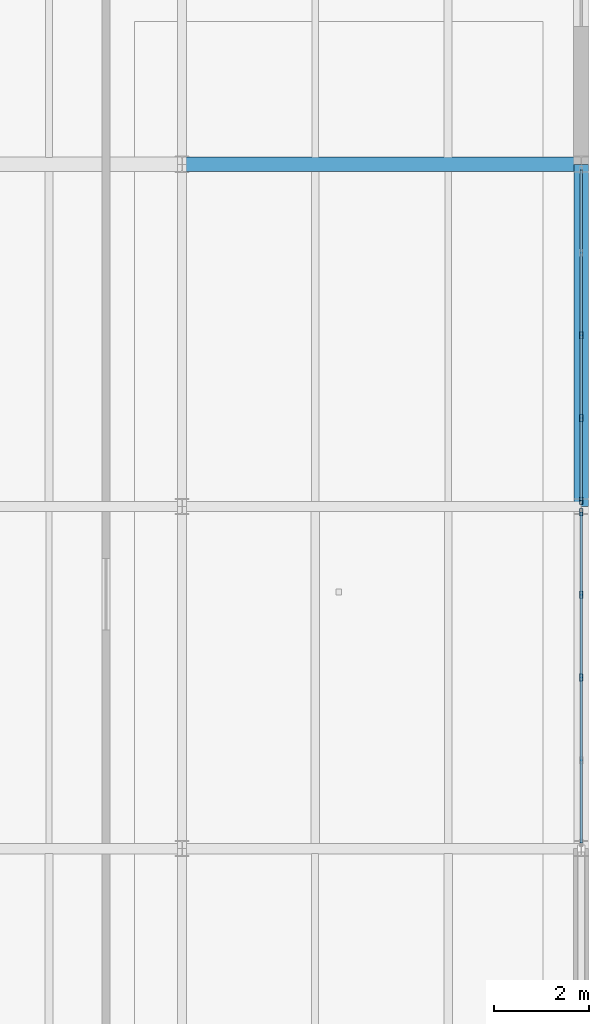
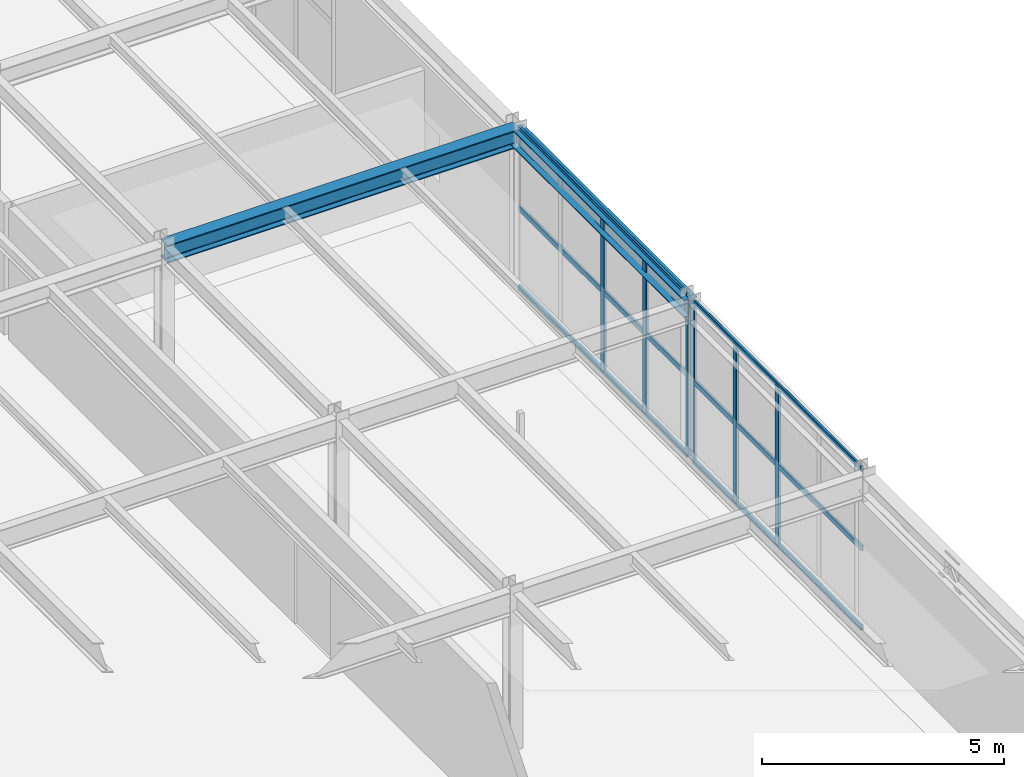
# One storey, part 39 of 73: 12 members, 2 beams, 2 elements without a shape of their own.
"""IFC4 building model written with IfcOpenShell, lengths in metres."""

from ifc_helpers import new_model, si_unit, derived_unit, direction, frame, origin, origin_2d, place, context, subcontext, project, spatial, hollow_rectangle, i_section, extrude, material, material_profile, profile_set, type_object, element, aggregate, save


model = new_model("IFC4")

# Units and contexts
model_context = context("Model", 3, precision=1e-05, world=origin(), true_north=direction((0.0, 1.0)))
body_context = subcontext(model_context, "Body", "Model", "MODEL_VIEW")
ifc_project = project(units=[si_unit("LENGTHUNIT", "METRE"), si_unit("AREAUNIT", "SQUARE_METRE"), si_unit("VOLUMEUNIT", "CUBIC_METRE"), si_unit("PLANEANGLEUNIT", "RADIAN"), si_unit("MASSUNIT", "GRAM", prefix="KILO"), derived_unit("THERMALTRANSMITTANCEUNIT", [(si_unit("MASSUNIT", "GRAM", prefix="KILO"), 1), (si_unit("TIMEUNIT", "SECOND"), -3), (si_unit("THERMODYNAMICTEMPERATUREUNIT", "KELVIN"), -1)])], contexts=[model_context])

# Site, building, storey
site_placement = place(None, origin())
site = spatial("IfcSite", under=ifc_project, at=site_placement, CompositionType="ELEMENT")
building_placement = place(site_placement, origin())
building = spatial("IfcBuilding", under=site, at=building_placement, Name="Kharveza Railside Sports Centre", CompositionType="ELEMENT")
storey_placement = place(building_placement, frame((0.0, 0.0, 8.699951171875)))
storey = spatial("IfcBuildingStorey", under=building, at=storey_placement, Name="L02", CompositionType="ELEMENT", Elevation=8.699951171875)

# Beams
ifc_material_1 = material(Name="Steel S355J2", Category="steel")
ifc_material_profile_1 = material_profile(ifc_material_1, i_section(OverallWidth=0.300048828125, OverallDepth=0.449951171875, WebThickness=0.013916015625, FlangeThickness=0.02587890625, FilletRadius=0.027099609375, at=origin_2d()), Name="HEB 450")
ifc_profile_set_1 = profile_set([ifc_material_profile_1], Name="Steel S355J2")
beam_type_1 = type_object("IfcBeamType", Name="BM-G06", PredefinedType="T_BEAM", material=ifc_profile_set_1)
beam_1_placement = place(storey_placement, frame((159.60009765625, 43.199951171875, 3.775146484375), z_axis=(1.0, 0.0, 0.0), x_axis=(0.0, 1.0, 0.0)))
element("IfcBeam", 1, at=beam_1_placement, inside=storey, type_object=beam_type_1, Name="BM-EW-L02-B06-X1596-Y432", PredefinedType="T_BEAM", context=body_context, shape_type="SweptSolid", body=[
    extrude(i_section(OverallWidth=0.300048828125, OverallDepth=0.449951171875, WebThickness=0.013916015625, FlangeThickness=0.02587890625, FilletRadius=0.027099609375, at=origin_2d()), origin(), (0.0, 0.0, 1.0), 8.39990234375),
])
ifc_material_profile_2 = material_profile(ifc_material_1, i_section(OverallWidth=0.300048828125, OverallDepth=0.43994140625, WebThickness=0.011474609375, FlangeThickness=0.02099609375, FilletRadius=0.027099609375, at=origin_2d()), Name="HEA 450")
ifc_profile_set_2 = profile_set([ifc_material_profile_2], Name="Steel S355J2")
beam_type_2 = type_object("IfcBeamType", Name="BM-SP01", PredefinedType="SPANDREL", material=ifc_profile_set_2)
beam_2_placement = place(storey_placement, frame((168.0, 36.0, 3.780029296875), z_axis=(0.0, 1.0, 0.0), x_axis=(-1.0, 0.0, 0.0)))
element("IfcBeam", 2, at=beam_2_placement, inside=storey, type_object=beam_type_2, Name="BM-NS-L02-B15-X1680-Y360", PredefinedType="SPANDREL", context=body_context, shape_type="SweptSolid", body=[
    extrude(i_section(OverallWidth=0.300048828125, OverallDepth=0.43994140625, WebThickness=0.011474609375, FlangeThickness=0.02099609375, FilletRadius=0.027099609375, at=origin_2d()), origin(), (0.0, 0.0, 1.0), 7.199951171875),
])

# Curtain wall, members
ifc_material_2 = material(Name="Low-E solar-control laminated glass", Category="glass")
curtain_wall_type = type_object("IfcCurtainWallType", Name="CW-WG02", PredefinedType="NOTDEFINED", material=ifc_material_2)
curtain_wall_1_placement = place(storey_placement, origin())
curtain_wall_1 = element("IfcCurtainWall", 3, at=curtain_wall_1_placement, inside=storey, type_object=curtain_wall_type, Name="CW-WG-L02-CW-WG02-X1680-Y324", PredefinedType="NOTDEFINED")
ifc_material_3 = material(Name="Anodised aluminium 6063-T6", Category="aluminium")
ifc_material_profile_3 = material_profile(ifc_material_3, hollow_rectangle(XDim=0.06494140625, YDim=0.14990234375, WallThickness=0.0048828125, InnerFilletRadius=0.0048828125, OuterFilletRadius=0.010009765625, at=origin_2d()), Name="RHS 65x150x5.0")
ifc_profile_set_3 = profile_set([ifc_material_profile_3], Name="Anodised aluminium 6063-T6")
member_type_1 = type_object("IfcMemberType", Name="CW-ML04", PredefinedType="MULLION", material=ifc_profile_set_3)
member_1_placement = place(storey_placement, frame((168.0, 32.39990234375, 0.0), z_axis=(0.0, 0.0, 1.0), x_axis=(1.0, 0.0, 0.0)))
member_1 = element("IfcMember", 4, at=member_1_placement, type_object=member_type_1, Name="CW-WG-L02-CW-WG02-X1680-Y324-ML3", PredefinedType="MULLION", context=body_context, shape_type="SweptSolid", body=[
    extrude(hollow_rectangle(XDim=0.06494140625, YDim=0.14990234375, WallThickness=0.0048828125, InnerFilletRadius=0.0048828125, OuterFilletRadius=0.010009765625, at=origin_2d()), origin(), (0.0, 0.0, 1.0), 4.0),
])
member_2_placement = place(storey_placement, frame((168.0, 34.139892578125, 0.0), z_axis=(0.0, 0.0, 1.0), x_axis=(1.0, 0.0, 0.0)))
member_2 = element("IfcMember", 5, at=member_2_placement, type_object=member_type_1, Name="CW-WG-L02-CW-WG02-X1680-Y324-ML4", PredefinedType="MULLION", context=body_context, shape_type="SweptSolid", body=[
    extrude(hollow_rectangle(XDim=0.06494140625, YDim=0.14990234375, WallThickness=0.0048828125, InnerFilletRadius=0.0048828125, OuterFilletRadius=0.010009765625, at=origin_2d()), origin(), (0.0, 0.0, 1.0), 4.0),
])
member_3_placement = place(storey_placement, frame((168.0, 35.8798828125, 0.0), z_axis=(0.0, 0.0, 1.0), x_axis=(1.0, 0.0, 0.0)))
member_3 = element("IfcMember", 6, at=member_3_placement, type_object=member_type_1, Name="CW-WG-L02-CW-WG02-X1680-Y324-ML5", PredefinedType="MULLION", context=body_context, shape_type="SweptSolid", body=[
    extrude(hollow_rectangle(XDim=0.06494140625, YDim=0.14990234375, WallThickness=0.0048828125, InnerFilletRadius=0.0048828125, OuterFilletRadius=0.010009765625, at=origin_2d()), origin(), (0.0, 0.0, 1.0), 4.0),
])

curtain_wall_2_placement = place(storey_placement, origin())
curtain_wall_2 = element("IfcCurtainWall", 7, at=curtain_wall_2_placement, inside=storey, type_object=curtain_wall_type, Name="CW-WG-L02-CW-WG02-X1680-Y396", PredefinedType="NOTDEFINED")
member_4_placement = place(storey_placement, frame((168.0, 36.1201171875, 0.0), z_axis=(0.0, 0.0, 1.0), x_axis=(1.0, 0.0, 0.0)))
member_4 = element("IfcMember", 8, at=member_4_placement, type_object=member_type_1, Name="CW-WG-L02-CW-WG02-X1680-Y396-ML1", PredefinedType="MULLION", context=body_context, shape_type="SweptSolid", body=[
    extrude(hollow_rectangle(XDim=0.06494140625, YDim=0.14990234375, WallThickness=0.0048828125, InnerFilletRadius=0.0048828125, OuterFilletRadius=0.010009765625, at=origin_2d()), origin(), (0.0, 0.0, 1.0), 4.0),
])
member_5_placement = place(storey_placement, frame((168.0, 37.860107421875, 0.0), z_axis=(0.0, 0.0, 1.0), x_axis=(1.0, 0.0, 0.0)))
member_5 = element("IfcMember", 9, at=member_5_placement, type_object=member_type_1, Name="CW-WG-L02-CW-WG02-X1680-Y396-ML2", PredefinedType="MULLION", context=body_context, shape_type="SweptSolid", body=[
    extrude(hollow_rectangle(XDim=0.06494140625, YDim=0.14990234375, WallThickness=0.0048828125, InnerFilletRadius=0.0048828125, OuterFilletRadius=0.010009765625, at=origin_2d()), origin(), (0.0, 0.0, 1.0), 4.0),
])
member_6_placement = place(storey_placement, frame((168.0, 39.60009765625, 0.0), z_axis=(0.0, 0.0, 1.0), x_axis=(1.0, 0.0, 0.0)))
member_6 = element("IfcMember", 10, at=member_6_placement, type_object=member_type_1, Name="CW-WG-L02-CW-WG02-X1680-Y396-ML3", PredefinedType="MULLION", context=body_context, shape_type="SweptSolid", body=[
    extrude(hollow_rectangle(XDim=0.06494140625, YDim=0.14990234375, WallThickness=0.0048828125, InnerFilletRadius=0.0048828125, OuterFilletRadius=0.010009765625, at=origin_2d()), origin(), (0.0, 0.0, 1.0), 4.0),
])

# Member
ifc_material_profile_4 = material_profile(ifc_material_3, hollow_rectangle(XDim=0.06005859375, YDim=0.139892578125, WallThickness=0.0048828125, InnerFilletRadius=0.0048828125, OuterFilletRadius=0.010009765625, at=origin_2d()), Name="RHS 60x140x5.0")
ifc_profile_set_4 = profile_set([ifc_material_profile_4], Name="Anodised aluminium 6063-T6")
member_type_2 = type_object("IfcMemberType", Name="CW-TR04", PredefinedType="USERDEFINED", material=ifc_profile_set_4)
member_7_placement = place(storey_placement, frame((168.0, 28.919921875, 0.0), z_axis=(0.0, 1.0, 0.0), x_axis=(-1.0, 0.0, 0.0)))
member_7 = element("IfcMember", 11, at=member_7_placement, type_object=member_type_2, Name="CW-WG-L02-CW-WG02-X1680-Y324-TR1", ObjectType="TRANSOM", PredefinedType="USERDEFINED", context=body_context, shape_type="SweptSolid", body=[
    extrude(hollow_rectangle(XDim=0.06005859375, YDim=0.139892578125, WallThickness=0.0048828125, InnerFilletRadius=0.0048828125, OuterFilletRadius=0.010009765625, at=origin_2d()), origin(), (0.0, 0.0, 1.0), 6.9599609375),
])

member_8_placement = place(storey_placement, frame((168.0, 28.919921875, 2.0), z_axis=(0.0, 1.0, 0.0), x_axis=(-1.0, 0.0, 0.0)))
member_8 = element("IfcMember", 12, at=member_8_placement, type_object=member_type_2, Name="CW-WG-L02-CW-WG02-X1680-Y324-TR2", ObjectType="TRANSOM", PredefinedType="USERDEFINED", context=body_context, shape_type="SweptSolid", body=[
    extrude(hollow_rectangle(XDim=0.06005859375, YDim=0.139892578125, WallThickness=0.0048828125, InnerFilletRadius=0.0048828125, OuterFilletRadius=0.010009765625, at=origin_2d()), origin(), (0.0, 0.0, 1.0), 6.9599609375),
])

member_9_placement = place(storey_placement, frame((168.0, 28.919921875, 4.0), z_axis=(0.0, 1.0, 0.0), x_axis=(-1.0, 0.0, 0.0)))
member_9 = element("IfcMember", 13, at=member_9_placement, type_object=member_type_2, Name="CW-WG-L02-CW-WG02-X1680-Y324-TR3", ObjectType="TRANSOM", PredefinedType="USERDEFINED", context=body_context, shape_type="SweptSolid", body=[
    extrude(hollow_rectangle(XDim=0.06005859375, YDim=0.139892578125, WallThickness=0.0048828125, InnerFilletRadius=0.0048828125, OuterFilletRadius=0.010009765625, at=origin_2d()), origin(), (0.0, 0.0, 1.0), 6.9599609375),
])

aggregate(curtain_wall_1, [member_1, member_2, member_3, member_7, member_8, member_9])

member_10_placement = place(storey_placement, frame((168.0, 36.1201171875, 0.0), z_axis=(0.0, 1.0, 0.0), x_axis=(-1.0, 0.0, 0.0)))
member_10 = element("IfcMember", 14, at=member_10_placement, type_object=member_type_2, Name="CW-WG-L02-CW-WG02-X1680-Y396-TR1", ObjectType="TRANSOM", PredefinedType="USERDEFINED", context=body_context, shape_type="SweptSolid", body=[
    extrude(hollow_rectangle(XDim=0.06005859375, YDim=0.139892578125, WallThickness=0.0048828125, InnerFilletRadius=0.0048828125, OuterFilletRadius=0.010009765625, at=origin_2d()), origin(), (0.0, 0.0, 1.0), 6.9599609375),
])

member_11_placement = place(storey_placement, frame((168.0, 36.1201171875, 2.0), z_axis=(0.0, 1.0, 0.0), x_axis=(-1.0, 0.0, 0.0)))
member_11 = element("IfcMember", 15, at=member_11_placement, type_object=member_type_2, Name="CW-WG-L02-CW-WG02-X1680-Y396-TR2", ObjectType="TRANSOM", PredefinedType="USERDEFINED", context=body_context, shape_type="SweptSolid", body=[
    extrude(hollow_rectangle(XDim=0.06005859375, YDim=0.139892578125, WallThickness=0.0048828125, InnerFilletRadius=0.0048828125, OuterFilletRadius=0.010009765625, at=origin_2d()), origin(), (0.0, 0.0, 1.0), 6.9599609375),
])

member_12_placement = place(storey_placement, frame((168.0, 36.1201171875, 4.0), z_axis=(0.0, 1.0, 0.0), x_axis=(-1.0, 0.0, 0.0)))
member_12 = element("IfcMember", 16, at=member_12_placement, type_object=member_type_2, Name="CW-WG-L02-CW-WG02-X1680-Y396-TR3", ObjectType="TRANSOM", PredefinedType="USERDEFINED", context=body_context, shape_type="SweptSolid", body=[
    extrude(hollow_rectangle(XDim=0.06005859375, YDim=0.139892578125, WallThickness=0.0048828125, InnerFilletRadius=0.0048828125, OuterFilletRadius=0.010009765625, at=origin_2d()), origin(), (0.0, 0.0, 1.0), 6.9599609375),
])

aggregate(curtain_wall_2, [member_4, member_5, member_6, member_10, member_11, member_12])

save(model, "model.ifc")
